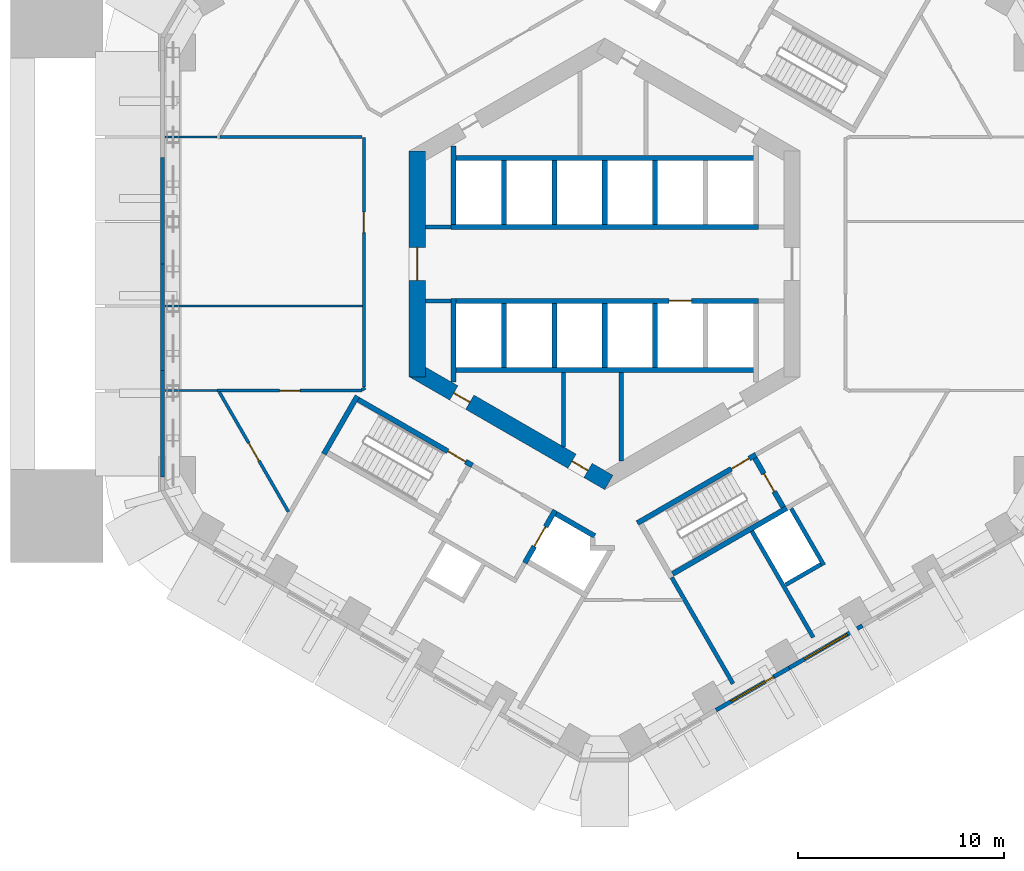
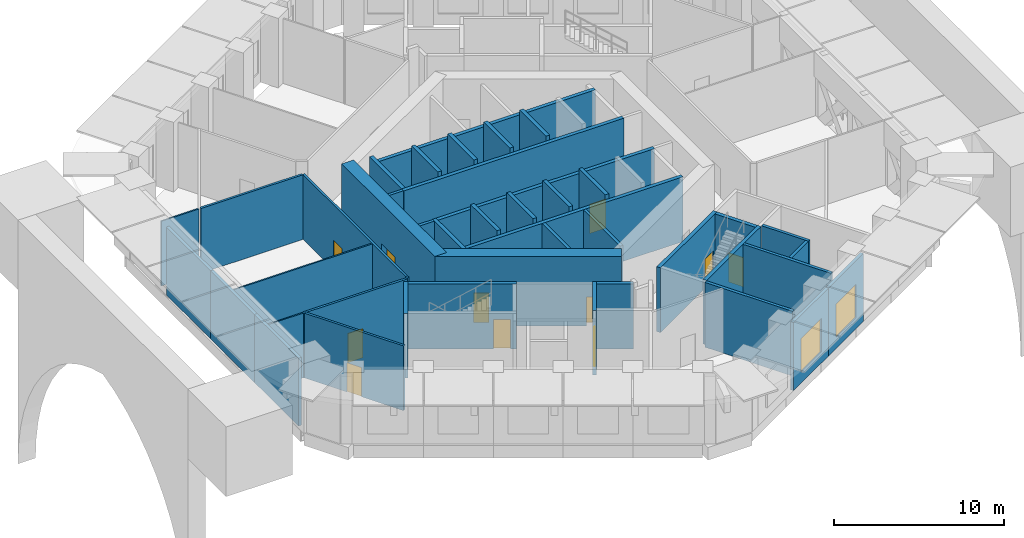
# One storey, part 3 of 10: 44 walls, 11 doors, 2 windows, 13 openings.
"""IFC4 building model written with IfcOpenShell, lengths in metres."""

from ifc_helpers import new_model, si_unit, direction, frame, frame_2d, origin, place, context, subcontext, project, spatial, rectangle, extrude, material, layer, layer_set, type_object, element, fill, save


model = new_model("IFC4")

# Units and contexts
model_context = context("Model", 3, precision=1e-05, world=origin(), true_north=direction((0.0, 1.0)))
body_context = subcontext(model_context, "Body", "Model", "MODEL_VIEW")
ifc_project = project(units=[si_unit("LENGTHUNIT", "METRE"), si_unit("AREAUNIT", "SQUARE_METRE"), si_unit("VOLUMEUNIT", "CUBIC_METRE"), si_unit("PLANEANGLEUNIT", "RADIAN"), si_unit("MASSUNIT", "GRAM", prefix="KILO")], contexts=[model_context])

# Site, building, storey
site_placement = place(None, origin())
site = spatial("IfcSite", under=ifc_project, at=site_placement, CompositionType="ELEMENT")
building_placement = place(site_placement, origin())
building = spatial("IfcBuilding", under=site, at=building_placement, Name="Ayvan Gate Tower", CompositionType="ELEMENT")
storey_placement = place(building_placement, frame((0.0, 0.0, 20.5)))
storey = spatial("IfcBuildingStorey", under=building, at=storey_placement, Name="L04", CompositionType="ELEMENT", Elevation=20.5)

# Wall, opening, door
ifc_material_1 = material(Name="Concrete C70/85", Category="concrete")
ifc_layer_1 = layer(ifc_material_1, 0.800048828125)
ifc_layer_set_1 = layer_set([ifc_layer_1], Name="Concrete C70/85")
wall_type_1 = type_object("IfcWallType", Name="Core wall 800 C70/85", PredefinedType="SHEAR", material=ifc_layer_set_1)
wall_1_placement = place(storey_placement, frame((-9.10009765625, 5.48486328125, 0.0), z_axis=(0.0, 0.0, 1.0), x_axis=(0.0, -1.0, 0.0)))
wall_1 = element("IfcWall", 1, at=wall_1_placement, inside=storey, type_object=wall_type_1, Name="CORE-L04-3", PredefinedType="SHEAR", context=body_context, shape_type="SweptSolid", body=[
    extrude(rectangle(XDim=10.9697265625, YDim=0.800048828125, at=frame_2d((5.48486328125, 0.0))), origin(), (0.0, 0.0, 1.0), 5.0),
])
opening_1_placement = place(wall_1_placement, frame((4.684814453125, 0.0, 0.0)))
opening_1 = element("IfcOpeningElement", 2, at=opening_1_placement, cuts=wall_1, Name="Opening L04-D32", PredefinedType="OPENING", context=body_context, shape_type="SweptSolid", body=[
    extrude(rectangle(XDim=1.60009765625, YDim=2.10009765625, at=frame_2d((0.800048828125, 1.050048828125))), frame((0.0, 0.409912109375, 0.0), z_axis=(0.0, -1.0, 0.0), x_axis=(1.0, 0.0, 0.0)), (0.0, 0.0, 1.0), 0.820068359375),
])
ifc_material_2 = material(Name="Timber door leaf", Category="wood")
door_type_1 = type_object("IfcDoorType", Name="DT-1600", OperationType="NOTDEFINED", PredefinedType="DOOR", material=ifc_material_2)
door_1_placement = place(opening_1_placement, origin())
door_1 = element("IfcDoor", 3, at=door_1_placement, inside=storey, type_object=door_type_1, Name="CD-L04-32", OperationType="SINGLE_SWING_RIGHT", OverallHeight=2.10009765625, OverallWidth=1.60009765625, PredefinedType="DOOR", context=body_context, shape_type="SweptSolid", body=[
    extrude(rectangle(XDim=1.60009765625, YDim=2.10009765625, at=frame_2d((0.800048828125, 1.050048828125))), frame((0.0, 0.02490234375, 0.0), z_axis=(0.0, -1.0, 0.0), x_axis=(1.0, 0.0, 0.0)), (0.0, 0.0, 1.0), 0.050048828125),
])
fill(opening_1, door_1)

# Wall, openings, doors
wall_2_placement = place(storey_placement, frame((-9.300048828125, -5.138427734375, 0.0), z_axis=(0.0, 0.0, 1.0), x_axis=(0.866023993627, -0.500002442456, 0.0)))
wall_2 = element("IfcWall", 4, at=wall_2_placement, inside=storey, type_object=wall_type_1, Name="CORE-L04-4", PredefinedType="SHEAR", context=body_context, shape_type="SweptSolid", body=[
    extrude(rectangle(XDim=10.9697265625, YDim=0.800048828125, at=frame_2d((5.48486328125, 0.0))), origin(), (0.0, 0.0, 1.0), 5.0),
])
opening_2_placement = place(wall_2_placement, frame((2.268310546875, 0.0, 0.0)))
opening_2 = element("IfcOpeningElement", 5, at=opening_2_placement, cuts=wall_2, Name="Opening L04-D28", PredefinedType="OPENING", context=body_context, shape_type="SweptSolid", body=[
    extrude(rectangle(XDim=0.89990234375, YDim=2.10009765625, at=frame_2d((0.449951171875, 1.050048828125))), frame((0.0, 0.409912109375, 0.0), z_axis=(0.0, -1.0, 0.0), x_axis=(1.0, 0.0, 0.0)), (0.0, 0.0, 1.0), 0.820068359375),
])
opening_3_placement = place(wall_2_placement, frame((8.902587890625, 0.0, 0.0)))
opening_3 = element("IfcOpeningElement", 6, at=opening_3_placement, cuts=wall_2, Name="Opening L04-D29", PredefinedType="OPENING", context=body_context, shape_type="SweptSolid", body=[
    extrude(rectangle(XDim=0.89990234375, YDim=2.10009765625, at=frame_2d((0.449951171875, 1.050048828125))), frame((0.0, 0.409912109375, 0.0), z_axis=(0.0, -1.0, 0.0), x_axis=(1.0, 0.0, 0.0)), (0.0, 0.0, 1.0), 0.820068359375),
])
door_type_2 = type_object("IfcDoorType", Name="DT-900", OperationType="NOTDEFINED", PredefinedType="DOOR", material=ifc_material_2)
door_2_placement = place(opening_2_placement, origin())
door_2 = element("IfcDoor", 7, at=door_2_placement, inside=storey, type_object=door_type_2, Name="CD-L04-28", OperationType="SINGLE_SWING_RIGHT", OverallHeight=2.10009765625, OverallWidth=0.89990234375, PredefinedType="DOOR", context=body_context, shape_type="SweptSolid", body=[
    extrude(rectangle(XDim=0.89990234375, YDim=2.10009765625, at=frame_2d((0.449951171875, 1.050048828125))), frame((0.0, 0.02490234375, 0.0), z_axis=(0.0, -1.0, 0.0), x_axis=(1.0, 0.0, 0.0)), (0.0, 0.0, 1.0), 0.050048828125),
])
fill(opening_2, door_2)
door_3_placement = place(opening_3_placement, origin())
door_3 = element("IfcDoor", 8, at=door_3_placement, inside=storey, type_object=door_type_2, Name="CD-L04-29", OperationType="SINGLE_SWING_LEFT", OverallHeight=2.10009765625, OverallWidth=0.89990234375, PredefinedType="DOOR", context=body_context, shape_type="SweptSolid", body=[
    extrude(rectangle(XDim=0.89990234375, YDim=2.10009765625, at=frame_2d((0.449951171875, 1.050048828125))), frame((0.0, 0.02490234375, 0.0), z_axis=(0.0, -1.0, 0.0), x_axis=(1.0, 0.0, 0.0)), (0.0, 0.0, 1.0), 0.050048828125),
])
fill(opening_3, door_3)

# Walls
ifc_material_3 = material(Name="Pale metal cladding on insulated wall")
ifc_layer_2 = layer(ifc_material_3, 0.199951171875)
ifc_layer_set_2 = layer_set([ifc_layer_2], Name="Pale metal cladding on insulated wall")
wall_type_2 = type_object("IfcWallType", Name="Louvred plant wall 200", PredefinedType="SOLIDWALL", material=ifc_layer_set_2)
for number, where, z_axis, x_axis, name in (
    (9, (-21.484619140625, 5.179931640625, 0.0), (0.0, 0.0, 1.0), (0.0, -1.0, 0.0), "EW:L04:F02:1"),
    (10, (-21.484619140625, 0.0, 0.0), (0.0, 0.0, 1.0), (0.0, -1.0, 0.0), "EW:L04:F02:2"),
):
    element("IfcWall", number, at=place(storey_placement, frame(where, z_axis=z_axis, x_axis=x_axis)), inside=storey, type_object=wall_type_2, Name=name, PredefinedType="SOLIDWALL", context=body_context, shape_type="SweptSolid", body=[
        extrude(rectangle(XDim=5.179931640625, YDim=0.199951171875, at=frame_2d((2.58984375, 0.0))), origin(), (0.0, 0.0, 1.0), 4.8798828125),
    ])
wall_3_placement = place(storey_placement, frame((-21.484619140625, -5.179931640625, 0.0), z_axis=(0.0, 0.0, 1.0), x_axis=(0.0, -1.0, 0.0)))
element("IfcWall", 11, at=wall_3_placement, inside=storey, type_object=wall_type_2, Name="EW:L04:F02:3", PredefinedType="SOLIDWALL", context=body_context, shape_type="SweptSolid", body=[
    extrude(rectangle(XDim=5.18017578125, YDim=0.199951171875, at=frame_2d((2.590087890625, 0.0))), origin(), (0.0, 0.0, 1.0), 4.8798828125),
])

# Wall, opening, window
wall_4_placement = place(storey_placement, frame((5.40673828125, -21.686767578125, 0.0), z_axis=(0.0, 0.0, 1.0), x_axis=(0.866029215606, 0.499993397673, 0.0)))
wall_4 = element("IfcWall", 12, at=wall_4_placement, inside=storey, type_object=wall_type_2, Name="EW:L04:F06:1", PredefinedType="SOLIDWALL", context=body_context, shape_type="SweptSolid", body=[
    extrude(rectangle(XDim=4.10791015625, YDim=0.199951171875, at=frame_2d((2.053955078125, 0.0))), origin(), (0.0, 0.0, 1.0), 4.8798828125),
])
opening_4_placement = place(wall_4_placement, frame((0.85400390625, 0.0, 0.800048828125)))
opening_4 = element("IfcOpeningElement", 13, at=opening_4_placement, cuts=wall_4, Name="Opening W-L", PredefinedType="OPENING", context=body_context, shape_type="SweptSolid", body=[
    extrude(rectangle(XDim=2.39990234375, YDim=2.39990234375, at=frame_2d((1.199951171875, 1.199951171875))), frame((0.0, 0.10986328125, 0.0), z_axis=(0.0, -1.0, 0.0), x_axis=(1.0, 0.0, 0.0)), (0.0, 0.0, 1.0), 0.219970703125),
])
ifc_material_4 = material(Name="Anodised aluminium louvre", Category="aluminium")
window_type = type_object("IfcWindowType", Name="Louvre intake W-L", PartitioningType="DOUBLE_PANEL_VERTICAL", PredefinedType="WINDOW", material=ifc_material_4)
window_1_placement = place(opening_4_placement, origin())
window_1 = element("IfcWindow", 14, at=window_1_placement, inside=storey, type_object=window_type, Name="Louvre intake L04.6.1", OverallHeight=2.39990234375, OverallWidth=2.39990234375, PartitioningType="SINGLE_PANEL", PredefinedType="WINDOW", context=body_context, shape_type="SweptSolid", body=[
    extrude(rectangle(XDim=2.39990234375, YDim=2.39990234375, at=frame_2d((1.199951171875, 1.199951171875))), frame((0.0, 0.030029296875, 0.0), z_axis=(0.0, -1.0, 0.0), x_axis=(1.0, 0.0, 0.0)), (0.0, 0.0, 1.0), 0.06005859375),
])
fill(opening_4, window_1)

wall_5_placement = place(storey_placement, frame((8.96435546875, -19.6328125, 0.0), z_axis=(0.0, 0.0, 1.0), x_axis=(0.866021252249, 0.500007190601, 0.0)))
wall_5 = element("IfcWall", 15, at=wall_5_placement, inside=storey, type_object=wall_type_2, Name="EW:L04:F06:2", PredefinedType="SOLIDWALL", context=body_context, shape_type="SweptSolid", body=[
    extrude(rectangle(XDim=4.10693359375, YDim=0.199951171875, at=frame_2d((2.053466796875, 0.0))), origin(), (0.0, 0.0, 1.0), 4.8798828125),
])
opening_5_placement = place(wall_5_placement, frame((0.853515625, 0.0, 0.800048828125)))
opening_5 = element("IfcOpeningElement", 16, at=opening_5_placement, cuts=wall_5, Name="Opening W-L", PredefinedType="OPENING", context=body_context, shape_type="SweptSolid", body=[
    extrude(rectangle(XDim=2.39990234375, YDim=2.39990234375, at=frame_2d((1.199951171875, 1.199951171875))), frame((0.0, 0.10986328125, 0.0), z_axis=(0.0, -1.0, 0.0), x_axis=(1.0, 0.0, 0.0)), (0.0, 0.0, 1.0), 0.219970703125),
])
window_2_placement = place(opening_5_placement, origin())
window_2 = element("IfcWindow", 17, at=window_2_placement, inside=storey, type_object=window_type, Name="Louvre intake L04.6.2", OverallHeight=2.39990234375, OverallWidth=2.39990234375, PartitioningType="SINGLE_PANEL", PredefinedType="WINDOW", context=body_context, shape_type="SweptSolid", body=[
    extrude(rectangle(XDim=2.39990234375, YDim=2.39990234375, at=frame_2d((1.199951171875, 1.199951171875))), frame((0.0, 0.030029296875, 0.0), z_axis=(0.0, -1.0, 0.0), x_axis=(1.0, 0.0, 0.0)), (0.0, 0.0, 1.0), 0.06005859375),
])
fill(opening_5, window_2)

# Wall, opening, door
ifc_material_5 = material(Name="Plasterboard on steel stud", Category="steel")
ifc_layer_3 = layer(ifc_material_5, 0.14990234375)
ifc_layer_set_3 = layer_set([ifc_layer_3], Name="Plasterboard on steel stud")
wall_type_3 = type_object("IfcWallType", Name="WT-CORR-150", PredefinedType="PARTITIONING", material=ifc_layer_set_3)
wall_6_placement = place(storey_placement, frame((-18.84521484375, -6.160888671875, 0.0), z_axis=(0.0, 0.0, 1.0), x_axis=(1.0, 0.0, 0.0)))
wall_6 = element("IfcWall", 18, at=wall_6_placement, inside=storey, type_object=wall_type_3, Name="IW-L04-001", PredefinedType="PARTITIONING", context=body_context, shape_type="SweptSolid", body=[
    extrude(rectangle(XDim=7.04931640625, YDim=0.14990234375, at=frame_2d((3.524658203125, 0.0))), origin(), (0.0, 0.0, 1.0), 4.64990234375),
])
opening_6_placement = place(wall_6_placement, frame((3.0419921875, 0.0, 0.0)))
opening_6 = element("IfcOpeningElement", 19, at=opening_6_placement, cuts=wall_6, Name="Opening L04-D18", PredefinedType="OPENING", context=body_context, shape_type="SweptSolid", body=[
    extrude(rectangle(XDim=1.0, YDim=2.10009765625, at=frame_2d((0.5, 1.050048828125))), frame((0.0, 0.0849609375, 0.0), z_axis=(0.0, -1.0, 0.0), x_axis=(1.0, 0.0, 0.0)), (0.0, 0.0, 1.0), 0.169921875),
])
door_type_3 = type_object("IfcDoorType", Name="DT-1000", OperationType="NOTDEFINED", PredefinedType="DOOR", material=ifc_material_2)
door_4_placement = place(opening_6_placement, origin())
door_4 = element("IfcDoor", 20, at=door_4_placement, inside=storey, type_object=door_type_3, Name="ID-L04-018", OperationType="SINGLE_SWING_RIGHT", OverallHeight=2.10009765625, OverallWidth=1.0, PredefinedType="DOOR", context=body_context, shape_type="SweptSolid", body=[
    extrude(rectangle(XDim=1.0, YDim=2.10009765625, at=frame_2d((0.5, 1.050048828125))), frame((0.0, 0.02490234375, 0.0), z_axis=(0.0, -1.0, 0.0), x_axis=(1.0, 0.0, 0.0)), (0.0, 0.0, 1.0), 0.050048828125),
])
fill(opening_6, door_4)

wall_7_placement = place(storey_placement, frame((-15.37060546875, -12.04931640625, 0.0), z_axis=(0.0, 0.0, 1.0), x_axis=(-0.499996914373, 0.866027185264, 0.0)))
wall_7 = element("IfcWall", 21, at=wall_7_placement, inside=storey, type_object=wall_type_3, Name="IW-L04-006", PredefinedType="PARTITIONING", context=body_context, shape_type="SweptSolid", body=[
    extrude(rectangle(XDim=6.724609375, YDim=0.14990234375, at=frame_2d((3.3623046875, 0.0))), origin(), (0.0, 0.0, 1.0), 4.64990234375),
])
opening_7_placement = place(wall_7_placement, frame((2.8623046875, 0.0, 0.0)))
opening_7 = element("IfcOpeningElement", 22, at=opening_7_placement, cuts=wall_7, Name="Opening L04-D20", PredefinedType="OPENING", context=body_context, shape_type="SweptSolid", body=[
    extrude(rectangle(XDim=1.0, YDim=2.10009765625, at=frame_2d((0.5, 1.050048828125))), frame((0.0, 0.0849609375, 0.0), z_axis=(0.0, -1.0, 0.0), x_axis=(1.0, 0.0, 0.0)), (0.0, 0.0, 1.0), 0.169921875),
])
door_5_placement = place(opening_7_placement, origin())
door_5 = element("IfcDoor", 23, at=door_5_placement, inside=storey, type_object=door_type_3, Name="ID-L04-020", OperationType="SINGLE_SWING_RIGHT", OverallHeight=2.10009765625, OverallWidth=1.0, PredefinedType="DOOR", context=body_context, shape_type="SweptSolid", body=[
    extrude(rectangle(XDim=1.0, YDim=2.10009765625, at=frame_2d((0.5, 1.050048828125))), frame((0.0, 0.02490234375, 0.0), z_axis=(0.0, -1.0, 0.0), x_axis=(1.0, 0.0, 0.0)), (0.0, 0.0, 1.0), 0.050048828125),
])
fill(opening_7, door_5)

# Walls
wall_8_placement = place(storey_placement, frame((-11.7958984375, 6.160888671875, 0.0), z_axis=(0.0, 0.0, 1.0), x_axis=(-1.0, 0.0, 0.0)))
element("IfcWall", 24, at=wall_8_placement, inside=storey, type_object=wall_type_3, Name="IW-L04-010", PredefinedType="PARTITIONING", context=body_context, shape_type="SweptSolid", body=[
    extrude(rectangle(XDim=6.8994140625, YDim=0.14990234375, at=frame_2d((3.44970703125, 0.0))), origin(), (0.0, 0.0, 1.0), 4.64990234375),
])
wall_9_placement = place(storey_placement, frame((-11.805908203125, -6.123291015625, 0.0), z_axis=(0.0, 0.0, 1.0), x_axis=(0.866103179807, 0.499865263774, 0.0)))
element("IfcWall", 25, at=wall_9_placement, inside=storey, type_object=wall_type_3, Name="IW-L04-011", PredefinedType="PARTITIONING", context=body_context, shape_type="SweptSolid", body=[
    extrude(rectangle(XDim=0.197265625, YDim=0.14990234375, at=frame_2d((0.0986328125, 0.0))), origin(), (0.0, 0.0, 1.0), 4.64990234375),
])

# Wall, opening, door
wall_10_placement = place(storey_placement, frame((-11.699951171875, -5.9873046875, 0.0), z_axis=(0.0, 0.0, 1.0), x_axis=(0.0, 1.0, 0.0)))
wall_10 = element("IfcWall", 26, at=wall_10_placement, inside=storey, type_object=wall_type_3, Name="IW-L04-012", PredefinedType="PARTITIONING", context=body_context, shape_type="SweptSolid", body=[
    extrude(rectangle(XDim=12.12451171875, YDim=0.14990234375, at=frame_2d((6.062255859375, 0.0))), origin(), (0.0, 0.0, 1.0), 4.64990234375),
])
opening_8_placement = place(wall_10_placement, frame((7.506591796875, 0.0, 0.0)))
opening_8 = element("IfcOpeningElement", 27, at=opening_8_placement, cuts=wall_10, Name="Opening L04-D17", PredefinedType="OPENING", context=body_context, shape_type="SweptSolid", body=[
    extrude(rectangle(XDim=1.0, YDim=2.10009765625, at=frame_2d((0.5, 1.050048828125))), frame((0.0, 0.0849609375, 0.0), z_axis=(0.0, -1.0, 0.0), x_axis=(1.0, 0.0, 0.0)), (0.0, 0.0, 1.0), 0.169921875),
])
door_6_placement = place(opening_8_placement, origin())
door_6 = element("IfcDoor", 28, at=door_6_placement, inside=storey, type_object=door_type_3, Name="ID-L04-017", OperationType="SINGLE_SWING_LEFT", OverallHeight=2.10009765625, OverallWidth=1.0, PredefinedType="DOOR", context=body_context, shape_type="SweptSolid", body=[
    extrude(rectangle(XDim=1.0, YDim=2.10009765625, at=frame_2d((0.5, 1.050048828125))), frame((0.0, 0.02490234375, 0.0), z_axis=(0.0, -1.0, 0.0), x_axis=(1.0, 0.0, 0.0)), (0.0, 0.0, 1.0), 0.050048828125),
])
fill(opening_8, door_6)

# Walls
ifc_layer_4 = layer(ifc_material_5, 0.10009765625)
ifc_layer_set_4 = layer_set([ifc_layer_4], Name="Plasterboard on steel stud")
wall_type_4 = type_object("IfcWallType", Name="WT-PART-100", PredefinedType="PARTITIONING", material=ifc_layer_set_4)
for number, where, z_axis, x_axis, name in (
    (29, (-21.380615234375, 6.160888671875, 0.0), (0.0, 0.0, 1.0), (1.0, 0.0, 0.0), "IW-L04-000"),
    (30, (-18.84521484375, -6.160888671875, 0.0), (0.0, 0.0, 1.0), (-1.0, 0.0, 0.0), "IW-L04-003"),
):
    element("IfcWall", number, at=place(storey_placement, frame(where, z_axis=z_axis, x_axis=x_axis)), inside=storey, type_object=wall_type_4, Name=name, PredefinedType="PARTITIONING", context=body_context, shape_type="SweptSolid", body=[
        extrude(rectangle(XDim=2.535400390625, YDim=0.10009765625, at=frame_2d((1.267578125, 0.0))), origin(), (0.0, 0.0, 1.0), 4.64990234375),
    ])
wall_11_placement = place(storey_placement, frame((-11.77490234375, -2.0537109375, 0.0), z_axis=(0.0, 0.0, 1.0), x_axis=(-1.0, 0.0, 0.0)))
element("IfcWall", 31, at=wall_11_placement, inside=storey, type_object=wall_type_4, Name="IW-L04-013", PredefinedType="PARTITIONING", context=body_context, shape_type="SweptSolid", body=[
    extrude(rectangle(XDim=9.605712890625, YDim=0.10009765625, at=frame_2d((4.802734375, 0.0))), origin(), (0.0, 0.0, 1.0), 4.64990234375),
])
ifc_layer_5 = layer(ifc_material_5, 0.199951171875)
ifc_layer_set_5 = layer_set([ifc_layer_5], Name="Plasterboard on steel stud")
wall_type_5 = type_object("IfcWallType", Name="WT-PLUMB-200", PredefinedType="PLUMBINGWALL", material=ifc_layer_set_5)
wall_12_placement = place(storey_placement, frame((3.255615234375, -15.23876953125, 0.0), z_axis=(0.0, 0.0, 1.0), x_axis=(0.499994325412, -0.866028679985, 0.0)))
element("IfcWall", 32, at=wall_12_placement, inside=storey, type_object=wall_type_5, Name="IW-L04-067", PredefinedType="PLUMBINGWALL", context=body_context, shape_type="SweptSolid", body=[
    extrude(rectangle(XDim=5.95947265625, YDim=0.199951171875, at=frame_2d((2.979736328125, 0.0))), origin(), (0.0, 0.0, 1.0), 4.64990234375),
])
wall_13_placement = place(storey_placement, frame((7.152587890625, -12.98876953125, 0.0), z_axis=(0.0, 0.0, 1.0), x_axis=(0.500025049464, -0.866010940986, 0.0)))
element("IfcWall", 33, at=wall_13_placement, inside=storey, type_object=wall_type_5, Name="IW-L04-073", PredefinedType="PLUMBINGWALL", context=body_context, shape_type="SweptSolid", body=[
    extrude(rectangle(XDim=5.959716796875, YDim=0.199951171875, at=frame_2d((2.97998046875, 0.0))), origin(), (0.0, 0.0, 1.0), 4.64990234375),
])
wall_14_placement = place(storey_placement, frame((9.055419921875, -11.884521484375, 0.0), z_axis=(0.0, 0.0, 1.0), x_axis=(0.50002815445, -0.866009148195, 0.0)))
element("IfcWall", 34, at=wall_14_placement, inside=storey, type_object=wall_type_5, Name="IW-L04-102", PredefinedType="PLUMBINGWALL", context=body_context, shape_type="SweptSolid", body=[
    extrude(rectangle(XDim=3.179931640625, YDim=0.199951171875, at=frame_2d((1.58984375, 0.0))), origin(), (0.0, 0.0, 1.0), 4.64990234375),
])
wall_15_placement = place(storey_placement, frame((10.5087890625, -14.601806640625, 0.0), z_axis=(0.0, 0.0, 1.0), x_axis=(-0.866011036969, -0.500024883228, 0.0)))
element("IfcWall", 35, at=wall_15_placement, inside=storey, type_object=wall_type_5, Name="IW-L04-103", PredefinedType="PLUMBINGWALL", context=body_context, shape_type="SweptSolid", body=[
    extrude(rectangle(XDim=1.97998046875, YDim=0.199951171875, at=frame_2d((0.989990234375, 0.0))), origin(), (0.0, 0.0, 1.0), 4.64990234375),
])
ifc_layer_6 = layer(ifc_material_5, 0.199951171875)
ifc_layer_set_6 = layer_set([ifc_layer_6], Name="Plasterboard on steel stud")
wall_type_6 = type_object("IfcWallType", Name="WT-RATED-200", PredefinedType="PARTITIONING", material=ifc_layer_set_6)
for number, where, z_axis, x_axis, name in (
    (36, (-8.699951171875, 1.800048828125, 0.0), (0.0, 0.0, 1.0), (1.0, 0.0, 0.0), "IW-L04-017"),
    (37, (-7.474853515625, -1.800048828125, 0.0), (0.0, 0.0, 1.0), (-1.0, 0.0, 0.0), "IW-L04-027"),
):
    element("IfcWall", number, at=place(storey_placement, frame(where, z_axis=z_axis, x_axis=x_axis)), inside=storey, type_object=wall_type_6, Name=name, PredefinedType="PARTITIONING", context=body_context, shape_type="SweptSolid", body=[
        extrude(rectangle(XDim=1.22509765625, YDim=0.199951171875, at=frame_2d((0.612548828125, 0.0))), origin(), (0.0, 0.0, 1.0), 4.64990234375),
    ])
wall_16_placement = place(storey_placement, frame((-2.0, -5.27490234375, 0.0), z_axis=(0.0, 0.0, 1.0), x_axis=(0.0, -1.0, 0.0)))
element("IfcWall", 38, at=wall_16_placement, inside=storey, type_object=wall_type_6, Name="IW-L04-041", PredefinedType="PARTITIONING", context=body_context, shape_type="SweptSolid", body=[
    extrude(rectangle(XDim=3.6162109375, YDim=0.199951171875, at=frame_2d((1.80810546875, 0.0))), origin(), (0.0, 0.0, 1.0), 4.64990234375),
])
wall_17_placement = place(storey_placement, frame((0.800048828125, -5.27490234375, 0.0), z_axis=(0.0, 0.0, 1.0), x_axis=(0.0, -1.0, 0.0)))
element("IfcWall", 39, at=wall_17_placement, inside=storey, type_object=wall_type_6, Name="IW-L04-055", PredefinedType="PARTITIONING", context=body_context, shape_type="SweptSolid", body=[
    extrude(rectangle(XDim=4.30908203125, YDim=0.199951171875, at=frame_2d((2.154541015625, 0.0))), origin(), (0.0, 0.0, 1.0), 4.64990234375),
])
ifc_material_6 = material(Name="Concrete C50/60", Category="concrete")
ifc_layer_7 = layer(ifc_material_6, 0.25)
ifc_layer_set_7 = layer_set([ifc_layer_7], Name="Concrete C50/60")
wall_type_7 = type_object("IfcWallType", Name="WT-RC-250", PredefinedType="SHEAR", material=ifc_layer_set_7)
wall_18_placement = place(storey_placement, frame((-13.64794921875, -9.23876953125, 0.0), z_axis=(0.0, 0.0, 1.0), x_axis=(0.500017246033, 0.866015446554, 0.0)))
element("IfcWall", 40, at=wall_18_placement, inside=storey, type_object=wall_type_7, Name="IW-L04-008", PredefinedType="SHEAR", context=body_context, shape_type="SweptSolid", body=[
    extrude(rectangle(XDim=3.25, YDim=0.25, at=frame_2d((1.625, 0.0))), origin(), (0.0, 0.0, 1.0), 4.64990234375),
])

# Wall, opening, door
wall_19_placement = place(storey_placement, frame((-11.97705078125, -6.594970703125, 0.0), z_axis=(0.0, 0.0, 1.0), x_axis=(0.866025499775, -0.499999833739, 0.0)))
wall_19 = element("IfcWall", 41, at=wall_19_placement, inside=storey, type_object=wall_type_7, Name="IW-L04-009", PredefinedType="SHEAR", context=body_context, shape_type="SweptSolid", body=[
    extrude(rectangle(XDim=6.39990234375, YDim=0.25, at=frame_2d((3.199951171875, 0.0))), origin(), (0.0, 0.0, 1.0), 4.64990234375),
])
opening_9_placement = place(wall_19_placement, frame((5.02490234375, 0.0, 0.0)))
opening_9 = element("IfcOpeningElement", 42, at=opening_9_placement, cuts=wall_19, Name="Opening L04-D06", PredefinedType="OPENING", context=body_context, shape_type="SweptSolid", body=[
    extrude(rectangle(XDim=1.0, YDim=2.10009765625, at=frame_2d((0.5, 1.050048828125))), frame((0.0, 0.135009765625, 0.0), z_axis=(0.0, -1.0, 0.0), x_axis=(1.0, 0.0, 0.0)), (0.0, 0.0, 1.0), 0.27001953125),
])
door_7_placement = place(opening_9_placement, origin())
door_7 = element("IfcDoor", 43, at=door_7_placement, inside=storey, type_object=door_type_3, Name="ID-L04-006", OperationType="SINGLE_SWING_RIGHT", OverallHeight=2.10009765625, OverallWidth=1.0, PredefinedType="DOOR", context=body_context, shape_type="SweptSolid", body=[
    extrude(rectangle(XDim=1.0, YDim=2.10009765625, at=frame_2d((0.5, 1.050048828125))), frame((0.0, 0.02490234375, 0.0), z_axis=(0.0, -1.0, 0.0), x_axis=(1.0, 0.0, 0.0)), (0.0, 0.0, 1.0), 0.050048828125),
])
fill(opening_9, door_7)

# Walls
wall_20_placement = place(storey_placement, frame((-7.47509765625, 1.800048828125, 0.0), z_axis=(0.0, 0.0, 1.0), x_axis=(1.0, 0.0, 0.0)))
element("IfcWall", 44, at=wall_20_placement, inside=storey, type_object=wall_type_7, Name="IW-L04-023", PredefinedType="SHEAR", context=body_context, shape_type="SweptSolid", body=[
    extrude(rectangle(XDim=14.9501953125, YDim=0.25, at=frame_2d((7.47509765625, 0.0))), origin(), (0.0, 0.0, 1.0), 4.64990234375),
])
wall_21_placement = place(storey_placement, frame((-7.35009765625, -5.730224609375, 0.0), z_axis=(0.0, 0.0, 1.0), x_axis=(0.0, 1.0, 0.0)))
element("IfcWall", 45, at=wall_21_placement, inside=storey, type_object=wall_type_7, Name="IW-L04-024", PredefinedType="SHEAR", context=body_context, shape_type="SweptSolid", body=[
    extrude(rectangle(XDim=4.05517578125, YDim=0.25, at=frame_2d((2.027587890625, 0.0))), origin(), (0.0, 0.0, 1.0), 4.64990234375),
])
wall_22_placement = place(storey_placement, frame((-7.35009765625, 1.925048828125, 0.0), z_axis=(0.0, 0.0, 1.0), x_axis=(0.0, 1.0, 0.0)))
element("IfcWall", 46, at=wall_22_placement, inside=storey, type_object=wall_type_7, Name="IW-L04-025", PredefinedType="SHEAR", context=body_context, shape_type="SweptSolid", body=[
    extrude(rectangle(XDim=3.80517578125, YDim=0.25, at=frame_2d((1.902587890625, 0.0))), origin(), (0.0, 0.0, 1.0), 4.64990234375),
])
for number, where, z_axis, x_axis, name in (
    (47, (-7.22509765625, 5.14990234375, 0.0), (0.0, 0.0, 1.0), (1.0, 0.0, 0.0), "IW-L04-026"),
    (48, (-7.22509765625, -5.14990234375, 0.0), (0.0, 0.0, 1.0), (1.0, 0.0, 0.0), "IW-L04-031"),
):
    element("IfcWall", number, at=place(storey_placement, frame(where, z_axis=z_axis, x_axis=x_axis)), inside=storey, type_object=wall_type_7, Name=name, PredefinedType="SHEAR", context=body_context, shape_type="SweptSolid", body=[
        extrude(rectangle(XDim=14.7001953125, YDim=0.25, at=frame_2d((7.35009765625, 0.0))), origin(), (0.0, 0.0, 1.0), 4.64990234375),
    ])
for number, where, z_axis, x_axis, name in (
    (49, (-4.89990234375, -1.925048828125, 0.0), (0.0, 0.0, 1.0), (0.0, -1.0, 0.0), "IW-L04-032"),
    (50, (-4.89990234375, 5.02490234375, 0.0), (0.0, 0.0, 1.0), (0.0, -1.0, 0.0), "IW-L04-033"),
):
    element("IfcWall", number, at=place(storey_placement, frame(where, z_axis=z_axis, x_axis=x_axis)), inside=storey, type_object=wall_type_7, Name=name, PredefinedType="SHEAR", context=body_context, shape_type="SweptSolid", body=[
        extrude(rectangle(XDim=3.099853515625, YDim=0.25, at=frame_2d((1.5498046875, 0.0))), origin(), (0.0, 0.0, 1.0), 5.0),
    ])

# Wall, opening, door
wall_23_placement = place(storey_placement, frame((-7.22509765625, -1.800048828125, 0.0), z_axis=(0.0, 0.0, 1.0), x_axis=(1.0, 0.0, 0.0)))
wall_23 = element("IfcWall", 51, at=wall_23_placement, inside=storey, type_object=wall_type_7, Name="IW-L04-034", PredefinedType="SHEAR", context=body_context, shape_type="SweptSolid", body=[
    extrude(rectangle(XDim=14.7001953125, YDim=0.25, at=frame_2d((7.35009765625, 0.0))), origin(), (0.0, 0.0, 1.0), 4.64990234375),
])
opening_10_placement = place(wall_23_placement, frame((10.35009765625, 0.0, 0.0)))
opening_10 = element("IfcOpeningElement", 52, at=opening_10_placement, cuts=wall_23, Name="Opening L04-LD-SV", PredefinedType="OPENING", context=body_context, shape_type="SweptSolid", body=[
    extrude(rectangle(XDim=1.10009765625, YDim=2.10009765625, at=frame_2d((0.550048828125, 1.050048828125))), frame((0.0, 0.135009765625, 0.0), z_axis=(0.0, -1.0, 0.0), x_axis=(1.0, 0.0, 0.0)), (0.0, 0.0, 1.0), 0.27001953125),
])
ifc_material_7 = material(Name="Stainless steel landing door", Category="steel")
door_type_4 = type_object("IfcDoorType", Name="DT-LANDING-1100", OperationType="SLIDING_TO_LEFT", PredefinedType="DOOR", material=ifc_material_7)
door_8_placement = place(opening_10_placement, origin())
door_8 = element("IfcDoor", 53, at=door_8_placement, inside=storey, type_object=door_type_4, Name="ID-L04-001", OperationType="SLIDING_TO_LEFT", OverallHeight=2.10009765625, OverallWidth=1.10009765625, PredefinedType="DOOR", context=body_context, shape_type="SweptSolid", body=[
    extrude(rectangle(XDim=1.10009765625, YDim=2.10009765625, at=frame_2d((0.550048828125, 1.050048828125))), frame((0.0, 0.02490234375, 0.0), z_axis=(0.0, -1.0, 0.0), x_axis=(1.0, 0.0, 0.0)), (0.0, 0.0, 1.0), 0.050048828125),
])
fill(opening_10, door_8)

wall_24_placement = place(storey_placement, frame((-2.409912109375, -11.97412109375, 0.0), z_axis=(0.0, 0.0, 1.0), x_axis=(-0.500001826776, -0.866024349092, 0.0)))
wall_24 = element("IfcWall", 54, at=wall_24_placement, inside=storey, type_object=wall_type_7, Name="IW-L04-037", PredefinedType="SHEAR", context=body_context, shape_type="SweptSolid", body=[
    extrude(rectangle(XDim=2.9501953125, YDim=0.25, at=frame_2d((1.47509765625, 0.0))), origin(), (0.0, 0.0, 1.0), 4.64990234375),
])
opening_11_placement = place(wall_24_placement, frame((0.925048828125, 0.0, 0.0)))
opening_11 = element("IfcOpeningElement", 55, at=opening_11_placement, cuts=wall_24, Name="Opening L04-LD-FF2", PredefinedType="OPENING", context=body_context, shape_type="SweptSolid", body=[
    extrude(rectangle(XDim=1.10009765625, YDim=2.10009765625, at=frame_2d((0.550048828125, 1.050048828125))), frame((0.0, 0.135009765625, 0.0), z_axis=(0.0, -1.0, 0.0), x_axis=(1.0, 0.0, 0.0)), (0.0, 0.0, 1.0), 0.27001953125),
])
door_9_placement = place(opening_11_placement, origin())
door_9 = element("IfcDoor", 56, at=door_9_placement, inside=storey, type_object=door_type_4, Name="ID-L04-009", OperationType="SLIDING_TO_LEFT", OverallHeight=2.10009765625, OverallWidth=1.10009765625, PredefinedType="DOOR", context=body_context, shape_type="SweptSolid", body=[
    extrude(rectangle(XDim=1.10009765625, YDim=2.10009765625, at=frame_2d((0.550048828125, 1.050048828125))), frame((0.0, 0.02490234375, 0.0), z_axis=(0.0, -1.0, 0.0), x_axis=(1.0, 0.0, 0.0)), (0.0, 0.0, 1.0), 0.050048828125),
])
fill(opening_11, door_9)

# Walls
wall_25_placement = place(storey_placement, frame((-2.3642578125, -12.14501953125, 0.0), z_axis=(0.0, 0.0, 1.0), x_axis=(0.86603892542, -0.499976579108, 0.0)))
element("IfcWall", 57, at=wall_25_placement, inside=storey, type_object=wall_type_7, Name="IW-L04-038", PredefinedType="SHEAR", context=body_context, shape_type="SweptSolid", body=[
    extrude(rectangle(XDim=2.162109375, YDim=0.25, at=frame_2d((1.0810546875, 0.0))), origin(), (0.0, 0.0, 1.0), 4.64990234375),
])
for number, where, z_axis, x_axis, name in (
    (58, (-2.449951171875, -1.925048828125, 0.0), (0.0, 0.0, 1.0), (0.0, -1.0, 0.0), "IW-L04-039"),
    (59, (-2.449951171875, 5.02490234375, 0.0), (0.0, 0.0, 1.0), (0.0, -1.0, 0.0), "IW-L04-040"),
    (60, (0.0, -1.925048828125, 0.0), (0.0, 0.0, 1.0), (0.0, -1.0, 0.0), "IW-L04-050"),
    (61, (0.0, 5.02490234375, 0.0), (0.0, 0.0, 1.0), (0.0, -1.0, 0.0), "IW-L04-051"),
):
    element("IfcWall", number, at=place(storey_placement, frame(where, z_axis=z_axis, x_axis=x_axis)), inside=storey, type_object=wall_type_7, Name=name, PredefinedType="SHEAR", context=body_context, shape_type="SweptSolid", body=[
        extrude(rectangle(XDim=3.099853515625, YDim=0.25, at=frame_2d((1.5498046875, 0.0))), origin(), (0.0, 0.0, 1.0), 5.0),
    ])

# Wall, opening, door
wall_26_placement = place(storey_placement, frame((1.584716796875, -12.594970703125, 0.0), z_axis=(0.0, 0.0, 1.0), x_axis=(0.866036417653, 0.499980922934, 0.0)))
wall_26 = element("IfcWall", 62, at=wall_26_placement, inside=storey, type_object=wall_type_7, Name="IW-L04-058", PredefinedType="SHEAR", context=body_context, shape_type="SweptSolid", body=[
    extrude(rectangle(XDim=6.650146484375, YDim=0.25, at=frame_2d((3.3251953125, 0.0))), origin(), (0.0, 0.0, 1.0), 4.64990234375),
])
opening_12_placement = place(wall_26_placement, frame((5.27490234375, 0.0, 0.0)))
opening_12 = element("IfcOpeningElement", 63, at=opening_12_placement, cuts=wall_26, Name="Opening L04-D10", PredefinedType="OPENING", context=body_context, shape_type="SweptSolid", body=[
    extrude(rectangle(XDim=1.0, YDim=2.10009765625, at=frame_2d((0.5, 1.050048828125))), frame((0.0, 0.135009765625, 0.0), z_axis=(0.0, -1.0, 0.0), x_axis=(1.0, 0.0, 0.0)), (0.0, 0.0, 1.0), 0.27001953125),
])
door_10_placement = place(opening_12_placement, origin())
door_10 = element("IfcDoor", 64, at=door_10_placement, inside=storey, type_object=door_type_3, Name="ID-L04-010", OperationType="SINGLE_SWING_RIGHT", OverallHeight=2.10009765625, OverallWidth=1.0, PredefinedType="DOOR", context=body_context, shape_type="SweptSolid", body=[
    extrude(rectangle(XDim=1.0, YDim=2.10009765625, at=frame_2d((0.5, 1.050048828125))), frame((0.0, 0.02490234375, 0.0), z_axis=(0.0, -1.0, 0.0), x_axis=(1.0, 0.0, 0.0)), (0.0, 0.0, 1.0), 0.050048828125),
])
fill(opening_12, door_10)

# Walls
for number, where, z_axis, x_axis, name in (
    (65, (2.449951171875, -1.925048828125, 0.0), (0.0, 0.0, 1.0), (0.0, -1.0, 0.0), "IW-L04-060"),
    (66, (2.449951171875, 5.02490234375, 0.0), (0.0, 0.0, 1.0), (0.0, -1.0, 0.0), "IW-L04-061"),
):
    element("IfcWall", number, at=place(storey_placement, frame(where, z_axis=z_axis, x_axis=x_axis)), inside=storey, type_object=wall_type_7, Name=name, PredefinedType="SHEAR", context=body_context, shape_type="SweptSolid", body=[
        extrude(rectangle(XDim=3.099853515625, YDim=0.25, at=frame_2d((1.5498046875, 0.0))), origin(), (0.0, 0.0, 1.0), 5.0),
    ])
wall_27_placement = place(storey_placement, frame((3.30126953125, -15.068115234375, 0.0), z_axis=(0.0, 0.0, 1.0), x_axis=(0.866035036182, 0.499983315828, 0.0)))
element("IfcWall", 67, at=wall_27_placement, inside=storey, type_object=wall_type_7, Name="IW-L04-074", PredefinedType="SHEAR", context=body_context, shape_type="SweptSolid", body=[
    extrude(rectangle(XDim=6.400146484375, YDim=0.25, at=frame_2d((3.2001953125, 0.0))), origin(), (0.0, 0.0, 1.0), 4.64990234375),
])

# Wall, opening, door
wall_28_placement = place(storey_placement, frame((7.298095703125, -9.44091796875, 0.0), z_axis=(0.0, 0.0, 1.0), x_axis=(0.500034990121, -0.866005201286, 0.0)))
wall_28 = element("IfcWall", 68, at=wall_28_placement, inside=storey, type_object=wall_type_7, Name="IW-L04-075", PredefinedType="SHEAR", context=body_context, shape_type="SweptSolid", body=[
    extrude(rectangle(XDim=2.749755859375, YDim=0.25, at=frame_2d((1.375, 0.0))), origin(), (0.0, 0.0, 1.0), 4.64990234375),
])
opening_13_placement = place(wall_28_placement, frame((0.875, 0.0, 0.0)))
opening_13 = element("IfcOpeningElement", 69, at=opening_13_placement, cuts=wall_28, Name="Opening L04-D12", PredefinedType="OPENING", context=body_context, shape_type="SweptSolid", body=[
    extrude(rectangle(XDim=1.0, YDim=2.10009765625, at=frame_2d((0.5, 1.050048828125))), frame((0.0, 0.135009765625, 0.0), z_axis=(0.0, -1.0, 0.0), x_axis=(1.0, 0.0, 0.0)), (0.0, 0.0, 1.0), 0.27001953125),
])
door_11_placement = place(opening_13_placement, origin())
door_11 = element("IfcDoor", 70, at=door_11_placement, inside=storey, type_object=door_type_3, Name="ID-L04-012", OperationType="SINGLE_SWING_RIGHT", OverallHeight=2.10009765625, OverallWidth=1.0, PredefinedType="DOOR", context=body_context, shape_type="SweptSolid", body=[
    extrude(rectangle(XDim=1.0, YDim=2.10009765625, at=frame_2d((0.5, 1.050048828125))), frame((0.0, 0.02490234375, 0.0), z_axis=(0.0, -1.0, 0.0), x_axis=(1.0, 0.0, 0.0)), (0.0, 0.0, 1.0), 0.050048828125),
])
fill(opening_13, door_11)

save(model, "model.ifc")
